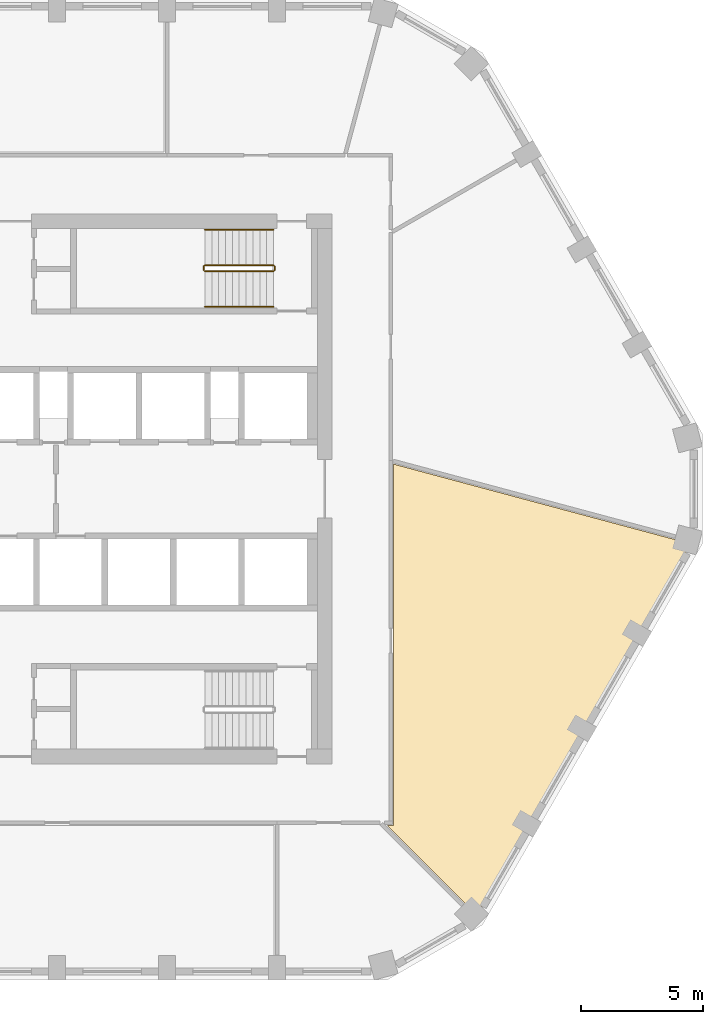
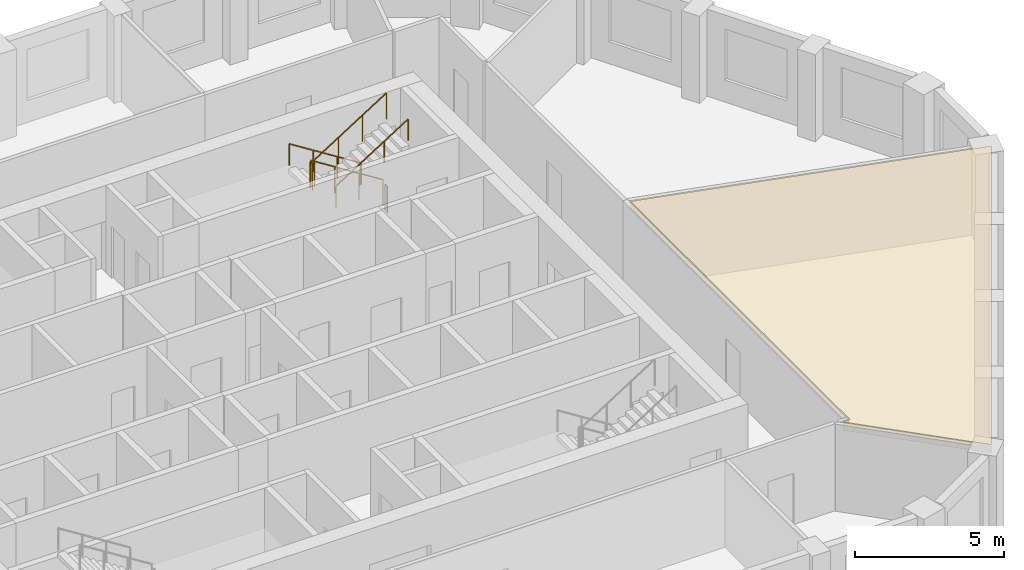
# One storey, part 9 of 10: 6 railings, 1 covering.
"""IFC4 building model written with IfcOpenShell, lengths in metres."""

import ifcopenshell
import ifcopenshell.guid

model = None  # the IFC model being written
_history = None  # IfcOwnerHistory: only IFC2X3 demands one
_inside = {}  # id of a spatial element -> (the spatial element, [elements in it])
_under = {}  # id of a project, library or spatial element -> (it, [spatial elements below it])
_declared = {}  # id of a project -> (the project, [libraries it declares])
_typed = {}  # id of a type object -> (the type object, [elements of that type])
_made_of = {}  # id of a material, layer set ... -> (it, [elements and type objects made of it])


def new_model(schema):
    """Start an empty IFC model of exactly this schema.

    Asked for "IFC4X3", IfcOpenShell would pick the latest addendum, in which some entities
    have other attributes; the version numbers below select the first issue.
    IFC2X3 requires an IfcOwnerHistory on every rooted entity: one is made here for all.
    """
    global model, _history
    if schema == "IFC4X3":
        model = ifcopenshell.file(schema_version=(4, 3, 0, 0))
    else:
        model = ifcopenshell.file(schema=schema)
    _inside.clear()
    _under.clear()
    _declared.clear()
    _typed.clear()
    _made_of.clear()
    _history = None
    if model.schema == "IFC2X3":
        org = make("IfcOrganization", Name="unknown")
        user = make(
            "IfcPersonAndOrganization",
            ThePerson=make("IfcPerson", FamilyName="unknown"),
            TheOrganization=org,
        )
        app = make(
            "IfcApplication",
            ApplicationDeveloper=org,
            Version="unknown",
            ApplicationFullName="unknown",
            ApplicationIdentifier="unknown",
        )
        _history = make(
            "IfcOwnerHistory",
            OwningUser=user,
            OwningApplication=app,
            ChangeAction="ADDED",
            CreationDate=0,
        )
    return model


def make(cls, **values):
    """One entity of the class cls with the attributes given. An attribute that is None is left unset."""
    return model.create_entity(
        cls, **{name: value for name, value in values.items() if value is not None}
    )


def rooted(cls, **values):
    """An entity with a GlobalId (a new one), such as an element, a storey or a relation."""
    return make(cls, GlobalId=ifcopenshell.guid.new(), OwnerHistory=_history, **values)


def si_unit(unit_type, name, prefix=None):
    """IfcSIUnit, for example si_unit("LENGTHUNIT", "METRE", prefix="MILLI")."""
    return make("IfcSIUnit", UnitType=unit_type, Prefix=prefix, Name=name)


def assignment(units):
    """IfcUnitAssignment: the units of a project."""
    return None if units is None else make("IfcUnitAssignment", Units=units)


def point(xyz):
    """IfcCartesianPoint."""
    return None if xyz is None else make("IfcCartesianPoint", Coordinates=xyz)


def direction(xyz):
    """IfcDirection."""
    return None if xyz is None else make("IfcDirection", DirectionRatios=xyz)


def frame(location, z_axis=None, x_axis=None):
    """IfcAxis2Placement3D, a coordinate frame: its origin and axes. An axis left out is left unset."""
    return make(
        "IfcAxis2Placement3D",
        Location=point(location),
        Axis=direction(z_axis),
        RefDirection=direction(x_axis),
    )


def frame_2d(location, x_axis=None):
    """IfcAxis2Placement2D, a coordinate frame in the plane: its origin and x axis."""
    return make(
        "IfcAxis2Placement2D", Location=point(location), RefDirection=direction(x_axis)
    )


def origin():
    """The frame at (0, 0, 0) with its axes left unset."""
    return frame((0.0, 0.0, 0.0))


def origin_2d():
    """The frame at (0, 0) in the plane with its x axis left unset."""
    return frame_2d((0.0, 0.0))


def place(relative_to, where):
    """IfcLocalPlacement: puts the frame where relative to a parent placement (None: the world)."""
    return make(
        "IfcLocalPlacement", PlacementRelTo=relative_to, RelativePlacement=where
    )


def context(
    kind, dimensions, precision=None, world=None, true_north=None, identifier=None
):
    """IfcGeometricRepresentationContext, for example the 3D "Model" context."""
    return make(
        "IfcGeometricRepresentationContext",
        ContextIdentifier=identifier,
        ContextType=kind,
        CoordinateSpaceDimension=dimensions,
        Precision=precision,
        WorldCoordinateSystem=world,
        TrueNorth=true_north,
    )


def subcontext(parent, identifier, kind, view, scale=None):
    """IfcGeometricRepresentationSubContext, for example "Body" below "Model"."""
    return make(
        "IfcGeometricRepresentationSubContext",
        ContextIdentifier=identifier,
        ContextType=kind,
        ParentContext=parent,
        TargetScale=scale,
        TargetView=view,
    )


def project(units=None, contexts=None):
    """IfcProject with its units and contexts."""
    return rooted(
        "IfcProject",
        Name="project",
        RepresentationContexts=contexts,
        UnitsInContext=assignment(units),
    )


def spatial(cls, under=None, at=None, **own):
    """A site, building, storey or space (cls), placed at a placement, below another one or the project."""
    s = rooted(cls, ObjectPlacement=at, **own)
    if under is not None:
        _under.setdefault(under.id(), (under, []))[1].append(s)
    return s


def polyline(points):
    """IfcPolyline through the points."""
    return make("IfcPolyline", Points=[point(p) for p in points])


def profile(cls, at=None, kind="AREA", **sizes):
    """A parametric profile (cls). Its sizes go by their IFC names, for example OverallWidth=200.0."""
    return make(cls, ProfileType=kind, Position=at, **sizes)


def circle(**sizes):
    """IfcCircleProfileDef."""
    return profile("IfcCircleProfileDef", **sizes)


def outline(outer, holes=None, kind="AREA"):
    """IfcArbitraryClosedProfileDef: a profile drawn as a closed curve; with holes, ...WithVoids."""
    if holes is None:
        return make("IfcArbitraryClosedProfileDef", ProfileType=kind, OuterCurve=outer)
    return make(
        "IfcArbitraryProfileDefWithVoids",
        ProfileType=kind,
        OuterCurve=outer,
        InnerCurves=holes,
    )


def extrude(swept, where, along, depth):
    """IfcExtrudedAreaSolid: the profile swept, set in the frame where, extruded along a direction by depth."""
    return make(
        "IfcExtrudedAreaSolid",
        SweptArea=swept,
        Position=where,
        ExtrudedDirection=direction(along),
        Depth=depth,
    )


def shape(context_of_items, identifier, shape_type, items):
    """IfcShapeRepresentation: the items that make up one representation, for example the "Body"."""
    return make(
        "IfcShapeRepresentation",
        ContextOfItems=context_of_items,
        RepresentationIdentifier=identifier,
        RepresentationType=shape_type,
        Items=items,
    )


def material(Name=None, Category=None):
    """IfcMaterial."""
    return make("IfcMaterial", Name=Name, Category=Category)


def layer(
    of_material, thickness, ventilated=None, Name=None, Category=None, Priority=None
):
    """IfcMaterialLayer: one layer of a wall or slab, of a material (None: an air gap)."""
    return make(
        "IfcMaterialLayer",
        Material=of_material,
        LayerThickness=thickness,
        IsVentilated=ventilated,
        Name=Name,
        Category=Category,
        Priority=Priority,
    )


def layer_set(layers, Name=None):
    """IfcMaterialLayerSet."""
    return make("IfcMaterialLayerSet", MaterialLayers=layers, LayerSetName=Name)


def made_of(thing, what):
    """Note that an element or type object is made of a material, layer set ...; save() writes the relation."""
    if what is not None:
        _made_of.setdefault(what.id(), (what, []))[1].append(thing)
    return thing


def type_object(cls, material=None, **own):
    """A type object (cls), such as IfcWallType, which elements share."""
    return made_of(rooted(cls, **own), material)


def element(
    cls,
    number,
    at=None,
    inside=None,
    cuts=None,
    type_object=None,
    material=None,
    context=None,
    identifier="Body",
    shape_type=None,
    held_by="IfcProductDefinitionShape",
    body=None,
    shapes=None,
    **own,
):
    """One element of the class cls, such as IfcWall. Its Tag is "e" and its number.

    at: its placement. inside: the storey or other place that contains it. cuts: it is an
    opening in that element (IfcRelVoidsElement). A single representation is given by context,
    identifier, shape_type and body (its items); several are given by shapes. held_by: the class
    of the entity that holds the representations. save() writes the other relations.
    """
    e = rooted(cls, Tag="e%d" % number, ObjectPlacement=at, **own)
    if body is not None:
        shapes = [shape(context, identifier, shape_type, body)]
    if shapes is not None:
        e.Representation = make(held_by, Representations=shapes)
    if inside is not None:
        _inside.setdefault(inside.id(), (inside, []))[1].append(e)
    if cuts is not None:
        rooted(
            "IfcRelVoidsElement", RelatingBuildingElement=cuts, RelatedOpeningElement=e
        )
    if type_object is not None:
        _typed.setdefault(type_object.id(), (type_object, []))[1].append(e)
    return made_of(e, material)


def aggregate(whole, parts):
    """IfcRelAggregates: a whole, such as a stair, and the parts it consists of."""
    return rooted("IfcRelAggregates", RelatingObject=whole, RelatedObjects=parts)


def save(model, path):
    """Write the relations noted so far, then the file.

    IfcRelAggregates (storeys below a building ...), IfcRelContainedInSpatialStructure (elements
    in a storey), IfcRelDefinesByType, IfcRelAssociatesMaterial and IfcRelDeclares: one each for
    every whole, place, type object, material and project.
    """
    for whole, parts in _under.values():
        aggregate(whole, parts)
    for where, things in _inside.values():
        rooted(
            "IfcRelContainedInSpatialStructure",
            RelatedElements=things,
            RelatingStructure=where,
        )
    for kind, things in _typed.values():
        rooted("IfcRelDefinesByType", RelatedObjects=things, RelatingType=kind)
    for what, things in _made_of.values():
        rooted("IfcRelAssociatesMaterial", RelatedObjects=things, RelatingMaterial=what)
    for by, libraries in _declared.values():
        rooted("IfcRelDeclares", RelatingContext=by, RelatedDefinitions=libraries)
    model.write(path)


model = new_model("IFC4")

# Units and contexts
model_context = context("Model", 3, precision=1e-05, world=origin(), true_north=direction((0.0, 1.0)))
body_context = subcontext(model_context, "Body", "Model", "MODEL_VIEW")
ifc_project = project(units=[si_unit("LENGTHUNIT", "METRE"), si_unit("AREAUNIT", "SQUARE_METRE"), si_unit("VOLUMEUNIT", "CUBIC_METRE"), si_unit("PLANEANGLEUNIT", "RADIAN"), si_unit("MASSUNIT", "GRAM", prefix="KILO")], contexts=[model_context])

# Site, building, storey
site_placement = place(None, origin())
site = spatial("IfcSite", under=ifc_project, at=site_placement, CompositionType="ELEMENT")
building_placement = place(site_placement, origin())
building = spatial("IfcBuilding", under=site, at=building_placement, Name="Dhurran Vertical Campus", CompositionType="ELEMENT")
storey_placement = place(building_placement, frame((0.0, 0.0, 243.0)))
storey = spatial("IfcBuildingStorey", under=building, at=storey_placement, Name="L60", CompositionType="ELEMENT", Elevation=243.0)

# Railings
ifc_material_1 = material(Name="Stainless steel balustrade", Category="steel")
railing_type_1 = type_object("IfcRailingType", Name="co-RL-GUARD-1100", PredefinedType="GUARDRAIL", material=ifc_material_1)
railing_1_placement = place(storey_placement, frame((11.10009765625, 9.14990234375, 0.17724609375)))
element("IfcRailing", 1, at=railing_1_placement, inside=storey, type_object=railing_type_1, Name="L60 ST2 stair guard 1", PredefinedType="GUARDRAIL", context=body_context, shape_type="SweptSolid", body=[
    extrude(circle(Radius=0.02392578125, at=origin_2d()), frame((0.0, 0.0, 1.076171875), z_axis=(-0.844908973607, 0.0, 0.534910110503), x_axis=(0.0, -1.0, 0.0)), (0.0, 0.0, 1.0), 3.31396484375),
    extrude(circle(Radius=0.02099609375, at=origin_2d()), origin(), (0.0, 0.0, 1.0), 1.052001953125),
    extrude(circle(Radius=0.02099609375, at=origin_2d()), frame((-0.933349609375, 0.0, 0.5908203125)), (0.0, 0.0, 1.0), 1.052001953125),
    extrude(circle(Radius=0.02099609375, at=origin_2d()), frame((-1.86669921875, 0.0, 1.181884765625)), (0.0, 0.0, 1.0), 1.052001953125),
    extrude(circle(Radius=0.02099609375, at=origin_2d()), frame((-2.800048828125, 0.0, 1.772705078125)), (0.0, 0.0, 1.0), 1.052001953125),
])
railing_2_placement = place(storey_placement, frame((8.25, 9.10009765625, 1.949951171875)))
element("IfcRailing", 2, at=railing_2_placement, inside=storey, type_object=railing_type_1, Name="L60 ST2 stair guard 2", PredefinedType="GUARDRAIL", context=body_context, shape_type="SweptSolid", body=[
    extrude(circle(Radius=0.02392578125, at=origin_2d()), frame((0.0, 0.0, 1.076171875), z_axis=(0.0, -1.0, 0.0), x_axis=(1.0, 0.0, 0.0)), (0.0, 0.0, 1.0), 0.150146484375),
    extrude(circle(Radius=0.02099609375, at=origin_2d()), origin(), (0.0, 0.0, 1.0), 1.052001953125),
    extrude(circle(Radius=0.02099609375, at=origin_2d()), frame((0.0, -0.150146484375, 0.0)), (0.0, 0.0, 1.0), 1.052001953125),
])
railing_3_placement = place(storey_placement, frame((8.300048828125, 8.89990234375, 2.127197265625)))
element("IfcRailing", 3, at=railing_3_placement, inside=storey, type_object=railing_type_1, Name="L60 ST2 stair guard 3", PredefinedType="GUARDRAIL", context=body_context, shape_type="SweptSolid", body=[
    extrude(circle(Radius=0.02392578125, at=origin_2d()), frame((0.0, 0.0, 1.076171875), z_axis=(0.844908973607, 0.0, 0.534910110503), x_axis=(0.0, 1.0, 0.0)), (0.0, 0.0, 1.0), 3.31396484375),
    extrude(circle(Radius=0.02099609375, at=origin_2d()), origin(), (0.0, 0.0, 1.0), 1.052001953125),
    extrude(circle(Radius=0.02099609375, at=origin_2d()), frame((0.933349609375, 0.0, 0.5908203125)), (0.0, 0.0, 1.0), 1.052001953125),
    extrude(circle(Radius=0.02099609375, at=origin_2d()), frame((1.86669921875, 0.0, 1.181884765625)), (0.0, 0.0, 1.0), 1.052001953125),
    extrude(circle(Radius=0.02099609375, at=origin_2d()), frame((2.800048828125, 0.0, 1.772705078125)), (0.0, 0.0, 1.0), 1.052001953125),
])
railing_4_placement = place(storey_placement, frame((11.14990234375, 9.10009765625, 0.0)))
element("IfcRailing", 4, at=railing_4_placement, inside=storey, type_object=railing_type_1, Name="L60 ST2 stair guard 4", PredefinedType="GUARDRAIL", context=body_context, shape_type="SweptSolid", body=[
    extrude(circle(Radius=0.02392578125, at=origin_2d()), frame((0.0, 0.0, 1.076171875), z_axis=(0.0, -1.0, 0.0), x_axis=(1.0, 0.0, 0.0)), (0.0, 0.0, 1.0), 0.150146484375),
    extrude(circle(Radius=0.02099609375, at=origin_2d()), origin(), (0.0, 0.0, 1.0), 1.052001953125),
    extrude(circle(Radius=0.02099609375, at=origin_2d()), frame((0.0, -0.150146484375, 0.0)), (0.0, 0.0, 1.0), 1.052001953125),
])
ifc_material_2 = material(Name="Stainless steel handrail", Category="steel")
railing_type_2 = type_object("IfcRailingType", Name="co-RL-HANDRAIL-900", PredefinedType="HANDRAIL", material=ifc_material_2)
railing_5_placement = place(storey_placement, frame((11.10009765625, 10.60009765625, 0.17724609375)))
element("IfcRailing", 5, at=railing_5_placement, inside=storey, type_object=railing_type_2, Name="L60 ST2 stair handrail 1", PredefinedType="HANDRAIL", context=body_context, shape_type="SweptSolid", body=[
    extrude(circle(Radius=0.02392578125, at=origin_2d()), frame((0.0, 0.0, 0.8759765625), z_axis=(-0.844908973607, 0.0, 0.534910110503), x_axis=(0.0, -1.0, 0.0)), (0.0, 0.0, 1.0), 3.31396484375),
    extrude(circle(Radius=0.02099609375, at=origin_2d()), origin(), (0.0, 0.0, 1.0), 0.851806640625),
    extrude(circle(Radius=0.02099609375, at=origin_2d()), frame((-0.933349609375, 0.0, 0.5908203125)), (0.0, 0.0, 1.0), 0.851806640625),
    extrude(circle(Radius=0.02099609375, at=origin_2d()), frame((-1.86669921875, 0.0, 1.181884765625)), (0.0, 0.0, 1.0), 0.851806640625),
    extrude(circle(Radius=0.02099609375, at=origin_2d()), frame((-2.800048828125, 0.0, 1.772705078125)), (0.0, 0.0, 1.0), 0.851806640625),
])
railing_6_placement = place(storey_placement, frame((8.300048828125, 7.449951171875, 2.127197265625)))
element("IfcRailing", 6, at=railing_6_placement, inside=storey, type_object=railing_type_2, Name="L60 ST2 stair handrail 2", PredefinedType="HANDRAIL", context=body_context, shape_type="SweptSolid", body=[
    extrude(circle(Radius=0.02392578125, at=origin_2d()), frame((0.0, 0.0, 0.8759765625), z_axis=(0.844908973607, 0.0, 0.534910110503), x_axis=(0.0, 1.0, 0.0)), (0.0, 0.0, 1.0), 3.31396484375),
    extrude(circle(Radius=0.02099609375, at=origin_2d()), origin(), (0.0, 0.0, 1.0), 0.851806640625),
    extrude(circle(Radius=0.02099609375, at=origin_2d()), frame((0.933349609375, 0.0, 0.5908203125)), (0.0, 0.0, 1.0), 0.851806640625),
    extrude(circle(Radius=0.02099609375, at=origin_2d()), frame((1.86669921875, 0.0, 1.181884765625)), (0.0, 0.0, 1.0), 0.851806640625),
    extrude(circle(Radius=0.02099609375, at=origin_2d()), frame((2.800048828125, 0.0, 1.772705078125)), (0.0, 0.0, 1.0), 0.851806640625),
])

# Covering
ifc_material_3 = material(Name="Mineral fibre ceiling tiles on suspended grid")
ifc_layer = layer(ifc_material_3, 0.35009765625)
ifc_layer_set = layer_set([ifc_layer], Name="Mineral fibre ceiling tiles on suspended grid")
covering_type = type_object("IfcCoveringType", Name="fl-CE-350 suspended ceiling", PredefinedType="CEILING", material=ifc_layer_set)
covering_placement = place(storey_placement, frame((0.0, 0.0, 3.22509765625)))
element("IfcCovering", 7, at=covering_placement, inside=storey, type_object=covering_type, Name="Ceiling 60-14", PredefinedType="CEILING", context=body_context, shape_type="SweptSolid", body=[
    extrude(outline(polyline([(28.1650390625, -2.2451171875), (19.40087890625, -17.424072265625), (15.7490234375, -13.77001953125), (16.02001953125, -13.77001953125), (16.02001953125, 1.010009765625), (28.1650390625, -2.2451171875)])), origin(), (0.0, 0.0, 1.0), 0.349853515625),
])

save(model, "model.ifc")
